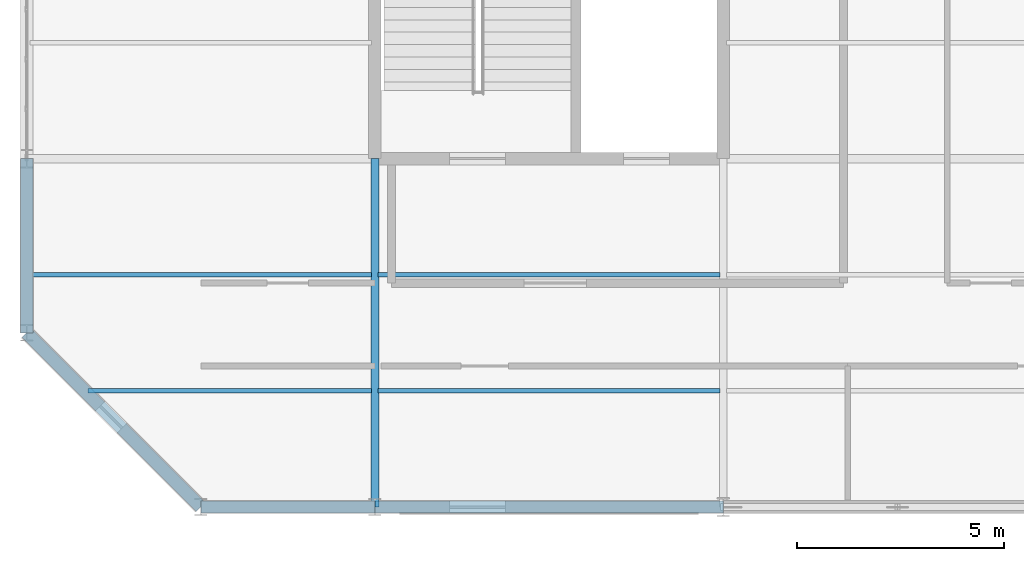
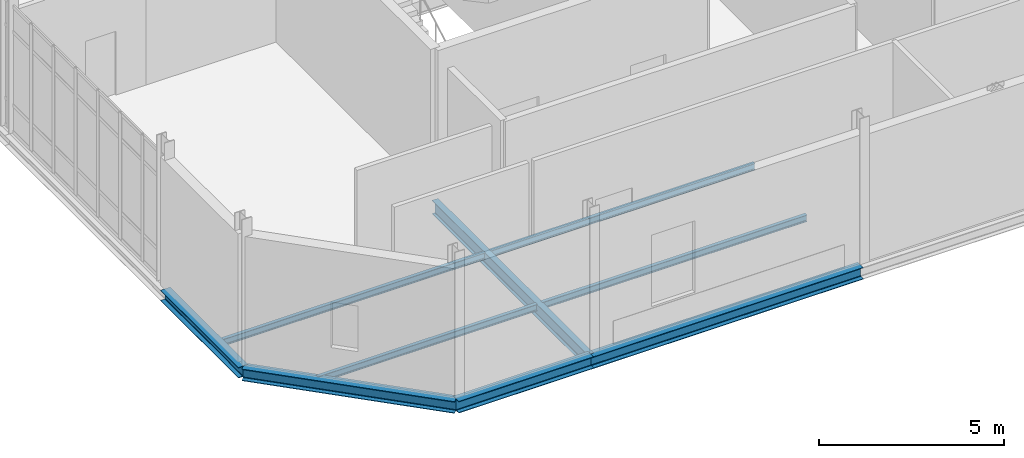
# One storey, part 4 of 28: 9 beams.
"""IFC4 building model written with IfcOpenShell, lengths in metres."""

from ifc_helpers import new_model, si_unit, direction, frame, origin, origin_2d, place, context, subcontext, project, spatial, i_section, extrude, material, material_profile, profile_set, type_object, element, save


model = new_model("IFC4")

# Units and contexts
model_context = context("Model", 3, precision=1e-05, world=origin(), true_north=direction((0.0, 1.0)))
body_context = subcontext(model_context, "Body", "Model", "MODEL_VIEW")
ifc_project = project(units=[si_unit("LENGTHUNIT", "METRE"), si_unit("AREAUNIT", "SQUARE_METRE"), si_unit("VOLUMEUNIT", "CUBIC_METRE"), si_unit("PLANEANGLEUNIT", "RADIAN"), si_unit("MASSUNIT", "GRAM", prefix="KILO")], contexts=[model_context])

# Site, building, storey
site_placement = place(None, origin())
site = spatial("IfcSite", under=ifc_project, at=site_placement, CompositionType="ELEMENT")
building_placement = place(site_placement, origin())
building = spatial("IfcBuilding", under=site, at=building_placement, Name="Qalvenar Corner Mobility Hub", CompositionType="ELEMENT")
storey_placement = place(building_placement, frame((0.0, 0.0, 21.60009765625)))
storey = spatial("IfcBuildingStorey", under=building, at=storey_placement, Name="L05", CompositionType="ELEMENT", Elevation=21.60009765625)

# Beams
ifc_material = material(Name="Steel S355", Category="steel")
ifc_material_profile_1 = material_profile(ifc_material, i_section(OverallWidth=0.18994140625, OverallDepth=0.449951171875, WebThickness=0.009521484375, FlangeThickness=0.0146484375, FilletRadius=0.02099609375, at=origin_2d()), Name="IPE450")
ifc_profile_set_1 = profile_set([ifc_material_profile_1], Name="Steel S355")
beam_type_1 = type_object("IfcBeamType", Name="BM-IPE450", PredefinedType="BEAM", material=ifc_profile_set_1)
beam_1_placement = place(storey_placement, frame((8.39990234375, 0.0, -0.405029296875), z_axis=(0.0, 1.0, 0.0), x_axis=(-1.0, 0.0, 0.0)))
element("IfcBeam", 1, at=beam_1_placement, inside=storey, type_object=beam_type_1, Name="Primary Steel Girder GY-2980", PredefinedType="BEAM", context=body_context, shape_type="SweptSolid", body=[
    extrude(i_section(OverallWidth=0.18994140625, OverallDepth=0.449951171875, WebThickness=0.009521484375, FlangeThickness=0.0146484375, FilletRadius=0.02099609375, at=origin_2d()), origin(), (0.0, 0.0, 1.0), 8.39990234375),
])
ifc_material_profile_2 = material_profile(ifc_material, i_section(OverallWidth=0.110107421875, OverallDepth=0.219970703125, WebThickness=0.005859375, FlangeThickness=0.00927734375, FilletRadius=0.011962890625, at=origin_2d()), Name="IPE220")
ifc_profile_set_2 = profile_set([ifc_material_profile_2], Name="Steel S355")
beam_type_2 = type_object("IfcBeamType", Name="BM-JST220", PredefinedType="JOIST", material=ifc_profile_set_2)
beam_2_placement = place(storey_placement, frame((1.47802734375, 2.800048828125, -0.2900390625), z_axis=(1.0, 0.0, 0.0), x_axis=(0.0, 1.0, 0.0)))
element("IfcBeam", 2, at=beam_2_placement, inside=storey, type_object=beam_type_2, Name="Composite Floor Joist J-3006", PredefinedType="JOIST", context=body_context, shape_type="SweptSolid", body=[
    extrude(i_section(OverallWidth=0.110107421875, OverallDepth=0.219970703125, WebThickness=0.005859375, FlangeThickness=0.00927734375, FilletRadius=0.011962890625, at=origin_2d()), origin(), (0.0, 0.0, 1.0), 6.843994140625),
])
beam_3_placement = place(storey_placement, frame((0.077880859375, 5.60009765625, -0.2900390625), z_axis=(1.0, 0.0, 0.0), x_axis=(0.0, 1.0, 0.0)))
element("IfcBeam", 3, at=beam_3_placement, inside=storey, type_object=beam_type_2, Name="Composite Floor Joist J-3007", PredefinedType="JOIST", context=body_context, shape_type="SweptSolid", body=[
    extrude(i_section(OverallWidth=0.110107421875, OverallDepth=0.219970703125, WebThickness=0.005859375, FlangeThickness=0.00927734375, FilletRadius=0.011962890625, at=origin_2d()), origin(), (0.0, 0.0, 1.0), 8.244140625),
])
for number, where, z_axis, x_axis, name in (
    (4, (8.47802734375, 2.800048828125, -0.2900390625), (1.0, 0.0, 0.0), (0.0, 1.0, 0.0), "Composite Floor Joist J-3016"),
    (5, (8.47802734375, 5.60009765625, -0.2900390625), (1.0, 0.0, 0.0), (0.0, 1.0, 0.0), "Composite Floor Joist J-3017"),
):
    element("IfcBeam", number, at=place(storey_placement, frame(where, z_axis=z_axis, x_axis=x_axis)), inside=storey, type_object=beam_type_2, Name=name, PredefinedType="JOIST", context=body_context, shape_type="SweptSolid", body=[
        extrude(i_section(OverallWidth=0.110107421875, OverallDepth=0.219970703125, WebThickness=0.005859375, FlangeThickness=0.00927734375, FilletRadius=0.011962890625, at=origin_2d()), origin(), (0.0, 0.0, 1.0), 8.243896484375),
    ])
ifc_material_profile_3 = material_profile(ifc_material, i_section(OverallWidth=0.300048828125, OverallDepth=0.35009765625, WebThickness=0.010009765625, FlangeThickness=0.017578125, FilletRadius=0.027099609375, at=origin_2d()), Name="HEA360")
ifc_profile_set_3 = profile_set([ifc_material_profile_3], Name="Steel S355")
beam_type_3 = type_object("IfcBeamType", Name="BM-SPN360", PredefinedType="SPANDREL", material=ifc_profile_set_3)
beam_4_placement = place(storey_placement, frame((0.0, 4.199951171875, -0.35498046875), z_axis=(0.0, 1.0, 0.0), x_axis=(-1.0, 0.0, 0.0)))
element("IfcBeam", 6, at=beam_4_placement, inside=storey, type_object=beam_type_3, Name="Primary Steel Girder GY-2975", PredefinedType="SPANDREL", context=body_context, shape_type="SweptSolid", body=[
    extrude(i_section(OverallWidth=0.300048828125, OverallDepth=0.35009765625, WebThickness=0.010009765625, FlangeThickness=0.017578125, FilletRadius=0.027099609375, at=origin_2d()), origin(), (0.0, 0.0, 1.0), 4.199951171875),
])
ifc_material_profile_4 = material_profile(ifc_material, i_section(OverallWidth=0.300048828125, OverallDepth=0.389892578125, WebThickness=0.010986328125, FlangeThickness=0.01904296875, FilletRadius=0.027099609375, at=origin_2d()), Name="HEA400")
ifc_profile_set_4 = profile_set([ifc_material_profile_4], Name="Steel S355")
beam_type_4 = type_object("IfcBeamType", Name="BM-SPN400", PredefinedType="SPANDREL", material=ifc_profile_set_4)
beam_5_placement = place(storey_placement, frame((4.199951171875, 0.0, -0.375), z_axis=(1.0, 0.0, 0.0), x_axis=(0.0, 1.0, 0.0)))
element("IfcBeam", 7, at=beam_5_placement, inside=storey, type_object=beam_type_4, Name="Primary Steel Girder GX-2945", PredefinedType="SPANDREL", context=body_context, shape_type="SweptSolid", body=[
    extrude(i_section(OverallWidth=0.300048828125, OverallDepth=0.389892578125, WebThickness=0.010986328125, FlangeThickness=0.01904296875, FilletRadius=0.027099609375, at=origin_2d()), origin(), (0.0, 0.0, 1.0), 4.199951171875),
])
beam_6_placement = place(storey_placement, frame((8.39990234375, 0.0, -0.375), z_axis=(1.0, 0.0, 0.0), x_axis=(0.0, 1.0, 0.0)))
element("IfcBeam", 8, at=beam_6_placement, inside=storey, type_object=beam_type_4, Name="Primary Steel Girder GX-2946", PredefinedType="SPANDREL", context=body_context, shape_type="SweptSolid", body=[
    extrude(i_section(OverallWidth=0.300048828125, OverallDepth=0.389892578125, WebThickness=0.010986328125, FlangeThickness=0.01904296875, FilletRadius=0.027099609375, at=origin_2d()), origin(), (0.0, 0.0, 1.0), 8.400146484375),
])
beam_7_placement = place(storey_placement, frame((4.199951171875, 0.0, -0.375), z_axis=(-0.707106781187, 0.707106781187, 0.0), x_axis=(-0.707106781187, -0.707106781187, 0.0)))
element("IfcBeam", 9, at=beam_7_placement, inside=storey, type_object=beam_type_4, Name="Corner Splay Spandrel Girder GSPL-3005", PredefinedType="SPANDREL", context=body_context, shape_type="SweptSolid", body=[
    extrude(i_section(OverallWidth=0.300048828125, OverallDepth=0.389892578125, WebThickness=0.010986328125, FlangeThickness=0.01904296875, FilletRadius=0.027099609375, at=origin_2d()), origin(), (0.0, 0.0, 1.0), 5.939697265625),
])

save(model, "model.ifc")
